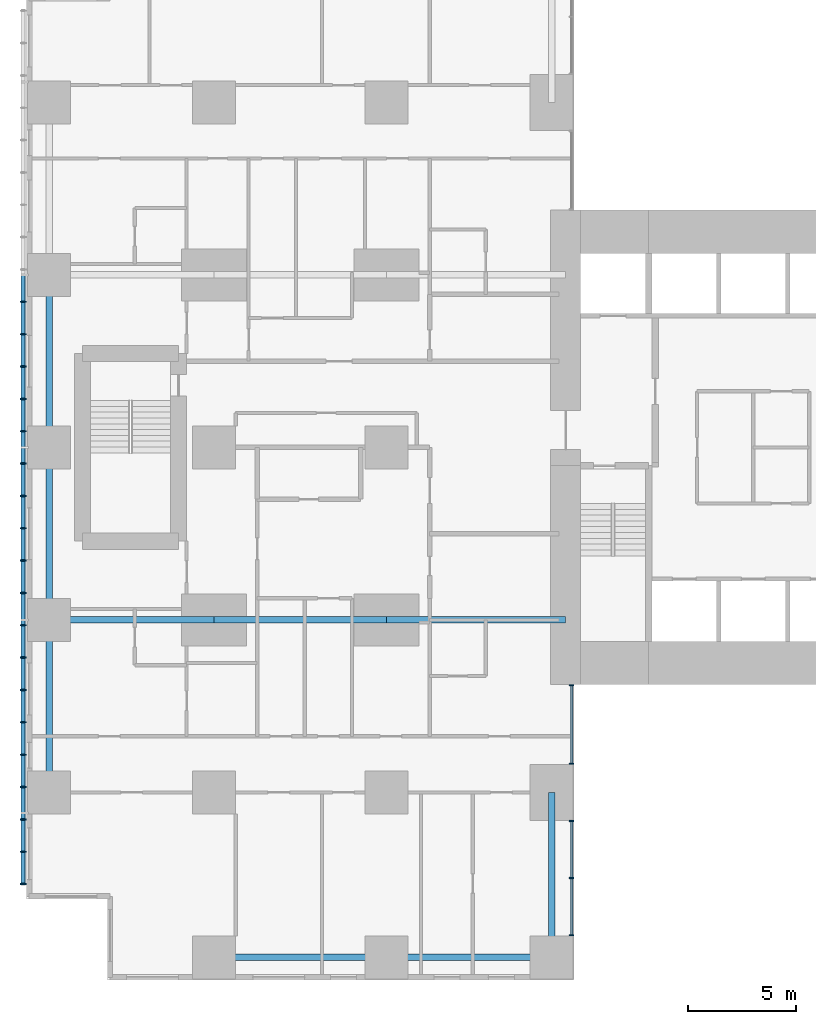
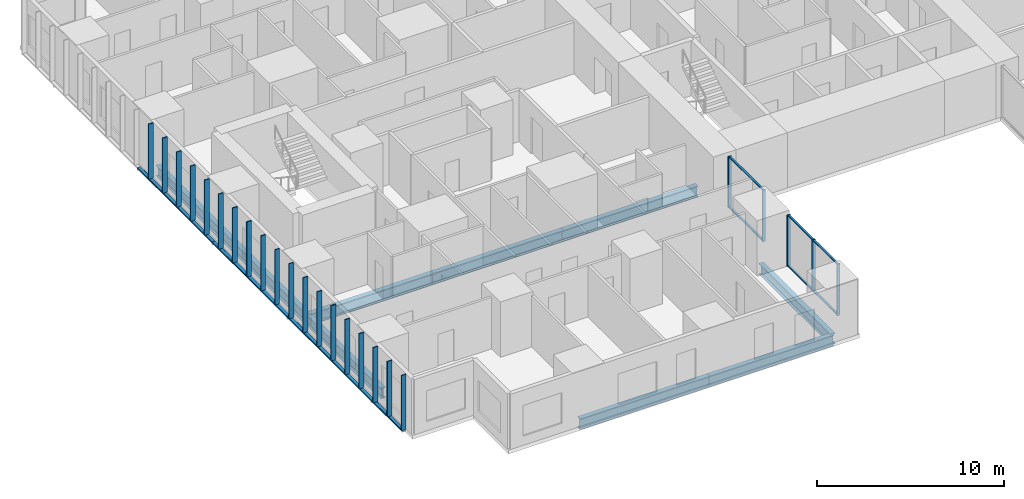
# One storey, part 2 of 20: 33 members, 9 beams, 2 elements without a shape of their own.
"""IFC4 building model written with IfcOpenShell, lengths in metres."""

from ifc_helpers import new_model, si_unit, direction, frame, origin, origin_2d, place, context, subcontext, project, spatial, rectangle, hollow_rectangle, i_section, extrude, material, layer, layer_set, material_profile, profile_set, type_object, element, aggregate, save


model = new_model("IFC4")

# Units and contexts
model_context = context("Model", 3, precision=1e-05, world=origin(), true_north=direction((0.0, 1.0)))
body_context = subcontext(model_context, "Body", "Model", "MODEL_VIEW")
ifc_project = project(units=[si_unit("LENGTHUNIT", "METRE"), si_unit("AREAUNIT", "SQUARE_METRE"), si_unit("VOLUMEUNIT", "CUBIC_METRE"), si_unit("PLANEANGLEUNIT", "RADIAN"), si_unit("MASSUNIT", "GRAM", prefix="KILO")], contexts=[model_context])

# Site, building, storey
site_placement = place(None, origin())
site = spatial("IfcSite", under=ifc_project, at=site_placement, CompositionType="ELEMENT")
building_placement = place(site_placement, origin())
building = spatial("IfcBuilding", under=site, at=building_placement, Name="Cleftline Residences", CompositionType="ELEMENT")
storey_placement = place(building_placement, frame((0.0, 0.0, 44.0)))
storey = spatial("IfcBuildingStorey", under=building, at=storey_placement, Name="L10", CompositionType="ELEMENT", Elevation=44.0)

# Members
ifc_material_1 = material(Name="Steel S355, hot-dip galvanised", Category="steel")
ifc_material_profile_1 = material_profile(ifc_material_1, hollow_rectangle(XDim=0.10009765625, YDim=0.199951171875, WallThickness=0.008056640625, InnerFilletRadius=0.008056640625, OuterFilletRadius=0.011962890625, at=origin_2d()))
ifc_profile_set_1 = profile_set([ifc_material_profile_1], Name="Steel S355, hot-dip galvanised")
member_type_1 = type_object("IfcMemberType", Name="BAGUETTE CARRIER RHS 200X100X8", PredefinedType="USERDEFINED", material=ifc_profile_set_1)
for number, where, z_axis, x_axis, name in (
    (1, (-0.85009765625, 32.0, -0.050048828125), (0.0, -1.0, 0.0), (0.0, 0.0, 1.0), "Baguette carrier"),
    (2, (-0.85009765625, 24.0, -0.050048828125), (0.0, -1.0, 0.0), (0.0, 0.0, 1.0), "Baguette carrier"),
):
    element("IfcMember", number, at=place(storey_placement, frame(where, z_axis=z_axis, x_axis=x_axis)), inside=storey, type_object=member_type_1, Name=name, ObjectType="BAGUETTE CARRIER", PredefinedType="USERDEFINED", context=body_context, shape_type="SweptSolid", body=[
        extrude(hollow_rectangle(XDim=0.10009765625, YDim=0.199951171875, WallThickness=0.008056640625, InnerFilletRadius=0.008056640625, OuterFilletRadius=0.011962890625, at=origin_2d()), origin(), (0.0, 0.0, 1.0), 8.0),
    ])
member_1_placement = place(storey_placement, frame((-0.85009765625, 16.0, -0.050048828125), z_axis=(0.0, -1.0, 0.0), x_axis=(0.0, 0.0, 1.0)))
element("IfcMember", 3, at=member_1_placement, inside=storey, type_object=member_type_1, Name="Baguette carrier", ObjectType="BAGUETTE CARRIER", PredefinedType="USERDEFINED", context=body_context, shape_type="SweptSolid", body=[
    extrude(hollow_rectangle(XDim=0.10009765625, YDim=0.199951171875, WallThickness=0.008056640625, InnerFilletRadius=0.008056640625, OuterFilletRadius=0.011962890625, at=origin_2d()), origin(), (0.0, 0.0, 1.0), 12.300048828125),
])

# Beams
ifc_material_2 = material(Name="Steel S355", Category="steel")
ifc_material_profile_2 = material_profile(ifc_material_2, i_section(OverallWidth=0.300048828125, OverallDepth=0.699951171875, WebThickness=0.01708984375, FlangeThickness=0.031982421875, FilletRadius=0.027099609375, at=origin_2d()))
ifc_profile_set_2 = profile_set([ifc_material_profile_2], Name="Steel S355")
beam_type_1 = type_object("IfcBeamType", Name="BEAM HEB 700", PredefinedType="BEAM", material=ifc_profile_set_2)
for number, where, z_axis, x_axis, name in (
    (4, (0.35009765625, 8.0, -0.60009765625), (0.0, 1.0, 0.0), (-1.0, 0.0, 0.0), "Edge beam"),
    (5, (0.35009765625, 16.0, -0.60009765625), (0.0, 1.0, 0.0), (-1.0, 0.0, 0.0), "Edge beam"),
    (6, (0.35009765625, 24.0, -0.60009765625), (0.0, 1.0, 0.0), (-1.0, 0.0, 0.0), "Edge beam"),
    (7, (8.0, 0.35009765625, -0.60009765625), (1.0, 0.0, 0.0), (0.0, 1.0, 0.0), "Edge beam"),
):
    element("IfcBeam", number, at=place(storey_placement, frame(where, z_axis=z_axis, x_axis=x_axis)), inside=storey, type_object=beam_type_1, Name=name, PredefinedType="BEAM", context=body_context, shape_type="SweptSolid", body=[
        extrude(i_section(OverallWidth=0.300048828125, OverallDepth=0.699951171875, WebThickness=0.01708984375, FlangeThickness=0.031982421875, FilletRadius=0.027099609375, at=origin_2d()), origin(), (0.0, 0.0, 1.0), 8.0),
    ])
for number, where, z_axis, x_axis, name in (
    (8, (16.0, 0.35009765625, -0.60009765625), (1.0, 0.0, 0.0), (0.0, 1.0, 0.0), "Edge beam"),
    (9, (23.64990234375, 0.35009765625, -0.60009765625), (0.0, 1.0, 0.0), (-1.0, 0.0, 0.0), "Edge beam"),
):
    element("IfcBeam", number, at=place(storey_placement, frame(where, z_axis=z_axis, x_axis=x_axis)), inside=storey, type_object=beam_type_1, Name=name, PredefinedType="BEAM", context=body_context, shape_type="SweptSolid", body=[
        extrude(i_section(OverallWidth=0.300048828125, OverallDepth=0.699951171875, WebThickness=0.01708984375, FlangeThickness=0.031982421875, FilletRadius=0.027099609375, at=origin_2d()), origin(), (0.0, 0.0, 1.0), 7.64990234375),
    ])
ifc_material_3 = material(Name="Steel S355", Category="steel")
ifc_material_profile_3 = material_profile(ifc_material_3, i_section(OverallWidth=0.303955078125, OverallDepth=0.716064453125, WebThickness=0.02099609375, FlangeThickness=0.0400390625, FilletRadius=0.027099609375, at=origin_2d()))
ifc_profile_set_3 = profile_set([ifc_material_profile_3], Name="Steel S355")
beam_type_2 = type_object("IfcBeamType", Name="BEAM HEM 700", PredefinedType="BEAM", material=ifc_profile_set_3)
beam_1_placement = place(storey_placement, frame((0.35009765625, 16.0, -0.60791015625), z_axis=(1.0, 0.0, 0.0), x_axis=(0.0, 1.0, 0.0)))
element("IfcBeam", 10, at=beam_1_placement, inside=storey, type_object=beam_type_2, Name="Band beam", PredefinedType="BEAM", context=body_context, shape_type="SweptSolid", body=[
    extrude(i_section(OverallWidth=0.303955078125, OverallDepth=0.716064453125, WebThickness=0.02099609375, FlangeThickness=0.0400390625, FilletRadius=0.027099609375, at=origin_2d()), origin(), (0.0, 0.0, 1.0), 7.64990234375),
])
beam_2_placement = place(storey_placement, frame((8.0, 16.0, -0.60791015625), z_axis=(1.0, 0.0, 0.0), x_axis=(0.0, 1.0, 0.0)))
element("IfcBeam", 11, at=beam_2_placement, inside=storey, type_object=beam_type_2, Name="Band beam", PredefinedType="BEAM", context=body_context, shape_type="SweptSolid", body=[
    extrude(i_section(OverallWidth=0.303955078125, OverallDepth=0.716064453125, WebThickness=0.02099609375, FlangeThickness=0.0400390625, FilletRadius=0.027099609375, at=origin_2d()), origin(), (0.0, 0.0, 1.0), 8.0),
])
beam_3_placement = place(storey_placement, frame((16.0, 16.0, -0.60791015625), z_axis=(1.0, 0.0, 0.0), x_axis=(0.0, 1.0, 0.0)))
element("IfcBeam", 12, at=beam_3_placement, inside=storey, type_object=beam_type_2, Name="Band beam", PredefinedType="BEAM", context=body_context, shape_type="SweptSolid", body=[
    extrude(i_section(OverallWidth=0.303955078125, OverallDepth=0.716064453125, WebThickness=0.02099609375, FlangeThickness=0.0400390625, FilletRadius=0.027099609375, at=origin_2d()), origin(), (0.0, 0.0, 1.0), 8.300048828125),
])

# Curtain wall, members
ifc_material_4 = material(Name="Aluminium framed curtain wall", Category="aluminium")
ifc_layer = layer(ifc_material_4, 0.199951171875)
ifc_layer_set = layer_set([ifc_layer], Name="CW1 CLEFT GLAZING")
curtain_wall_type = type_object("IfcCurtainWallType", Name="CW1 CLEFT GLAZING", PredefinedType="NOTDEFINED", material=ifc_layer_set)
curtain_wall_1_placement = place(storey_placement, origin())
curtain_wall_1 = element("IfcCurtainWall", 13, at=curtain_wall_1_placement, inside=storey, type_object=curtain_wall_type, Name="Curtain wall CW1", PredefinedType="NOTDEFINED")
ifc_material_5 = material(Name="Aluminium mullion", Category="aluminium")
ifc_material_profile_4 = material_profile(ifc_material_5, rectangle(XDim=0.199951171875, YDim=0.06005859375, at=origin_2d()))
ifc_profile_set_4 = profile_set([ifc_material_profile_4], Name="Aluminium mullion")
member_type_2 = type_object("IfcMemberType", Name="CW1 MULLION", PredefinedType="MULLION", material=ifc_profile_set_4)
member_2_placement = place(storey_placement, frame((24.574951171875, 1.3798828125, 0.0), z_axis=(0.0, 0.0, 1.0), x_axis=(-1.0, 0.0, 0.0)))
member_2 = element("IfcMember", 14, at=member_2_placement, type_object=member_type_2, Name="CW1 mullion 1", PredefinedType="MULLION", context=body_context, shape_type="SweptSolid", body=[
    extrude(rectangle(XDim=0.199951171875, YDim=0.06005859375, at=origin_2d()), origin(), (0.0, 0.0, 1.0), 3.35009765625),
])
member_3_placement = place(storey_placement, frame((24.574951171875, 4.02490234375, 0.0), z_axis=(0.0, 0.0, 1.0), x_axis=(-1.0, 0.0, 0.0)))
member_3 = element("IfcMember", 15, at=member_3_placement, type_object=member_type_2, Name="CW1 mullion 2", PredefinedType="MULLION", context=body_context, shape_type="SweptSolid", body=[
    extrude(rectangle(XDim=0.199951171875, YDim=0.06005859375, at=origin_2d()), origin(), (0.0, 0.0, 1.0), 3.35009765625),
])
member_4_placement = place(storey_placement, frame((24.574951171875, 6.669921875, 0.0), z_axis=(0.0, 0.0, 1.0), x_axis=(-1.0, 0.0, 0.0)))
member_4 = element("IfcMember", 16, at=member_4_placement, type_object=member_type_2, Name="CW1 mullion 3", PredefinedType="MULLION", context=body_context, shape_type="SweptSolid", body=[
    extrude(rectangle(XDim=0.199951171875, YDim=0.06005859375, at=origin_2d()), origin(), (0.0, 0.0, 1.0), 3.35009765625),
])

curtain_wall_2_placement = place(storey_placement, origin())
curtain_wall_2 = element("IfcCurtainWall", 17, at=curtain_wall_2_placement, inside=storey, type_object=curtain_wall_type, Name="Curtain wall CW1", PredefinedType="NOTDEFINED")
member_5_placement = place(storey_placement, frame((24.574951171875, 9.330078125, 0.0), z_axis=(0.0, 0.0, 1.0), x_axis=(-1.0, 0.0, 0.0)))
member_5 = element("IfcMember", 18, at=member_5_placement, type_object=member_type_2, Name="CW1 mullion 1", PredefinedType="MULLION", context=body_context, shape_type="SweptSolid", body=[
    extrude(rectangle(XDim=0.199951171875, YDim=0.06005859375, at=origin_2d()), origin(), (0.0, 0.0, 1.0), 3.35009765625),
])
member_6_placement = place(storey_placement, frame((24.574951171875, 12.969970703125, 0.0), z_axis=(0.0, 0.0, 1.0), x_axis=(-1.0, 0.0, 0.0)))
member_6 = element("IfcMember", 19, at=member_6_placement, type_object=member_type_2, Name="CW1 mullion 2", PredefinedType="MULLION", context=body_context, shape_type="SweptSolid", body=[
    extrude(rectangle(XDim=0.199951171875, YDim=0.06005859375, at=origin_2d()), origin(), (0.0, 0.0, 1.0), 3.35009765625),
])

# Member
ifc_material_6 = material(Name="Aluminium transom", Category="aluminium")
ifc_material_profile_5 = material_profile(ifc_material_6, rectangle(XDim=0.1201171875, YDim=0.06005859375, at=origin_2d()))
ifc_profile_set_5 = profile_set([ifc_material_profile_5], Name="Aluminium transom")
member_type_3 = type_object("IfcMemberType", Name="CW1 TRANSOM", PredefinedType="USERDEFINED", material=ifc_profile_set_5)
member_7_placement = place(storey_placement, frame((24.574951171875, 1.409912109375, 0.030029296875), z_axis=(0.0, 1.0, 0.0), x_axis=(-1.0, 0.0, 0.0)))
member_7 = element("IfcMember", 20, at=member_7_placement, type_object=member_type_3, Name="CW1 transom 1.1", ObjectType="TRANSOM", PredefinedType="USERDEFINED", context=body_context, shape_type="SweptSolid", body=[
    extrude(rectangle(XDim=0.1201171875, YDim=0.06005859375, at=origin_2d()), origin(), (0.0, 0.0, 1.0), 2.585205078125),
])

member_8_placement = place(storey_placement, frame((24.574951171875, 1.409912109375, 3.320068359375), z_axis=(0.0, 1.0, 0.0), x_axis=(-1.0, 0.0, 0.0)))
member_8 = element("IfcMember", 21, at=member_8_placement, type_object=member_type_3, Name="CW1 transom 1.2", ObjectType="TRANSOM", PredefinedType="USERDEFINED", context=body_context, shape_type="SweptSolid", body=[
    extrude(rectangle(XDim=0.1201171875, YDim=0.06005859375, at=origin_2d()), origin(), (0.0, 0.0, 1.0), 2.585205078125),
])

member_9_placement = place(storey_placement, frame((24.574951171875, 4.054931640625, 0.030029296875), z_axis=(0.0, 1.0, 0.0), x_axis=(-1.0, 0.0, 0.0)))
member_9 = element("IfcMember", 22, at=member_9_placement, type_object=member_type_3, Name="CW1 transom 2.1", ObjectType="TRANSOM", PredefinedType="USERDEFINED", context=body_context, shape_type="SweptSolid", body=[
    extrude(rectangle(XDim=0.1201171875, YDim=0.06005859375, at=origin_2d()), origin(), (0.0, 0.0, 1.0), 2.5849609375),
])

member_10_placement = place(storey_placement, frame((24.574951171875, 4.054931640625, 3.320068359375), z_axis=(0.0, 1.0, 0.0), x_axis=(-1.0, 0.0, 0.0)))
member_10 = element("IfcMember", 23, at=member_10_placement, type_object=member_type_3, Name="CW1 transom 2.2", ObjectType="TRANSOM", PredefinedType="USERDEFINED", context=body_context, shape_type="SweptSolid", body=[
    extrude(rectangle(XDim=0.1201171875, YDim=0.06005859375, at=origin_2d()), origin(), (0.0, 0.0, 1.0), 2.5849609375),
])

aggregate(curtain_wall_1, [member_2, member_3, member_4, member_7, member_8, member_9, member_10])

member_11_placement = place(storey_placement, frame((24.574951171875, 9.360107421875, 0.030029296875), z_axis=(0.0, 1.0, 0.0), x_axis=(-1.0, 0.0, 0.0)))
member_11 = element("IfcMember", 24, at=member_11_placement, type_object=member_type_3, Name="CW1 transom 1.1", ObjectType="TRANSOM", PredefinedType="USERDEFINED", context=body_context, shape_type="SweptSolid", body=[
    extrude(rectangle(XDim=0.1201171875, YDim=0.06005859375, at=origin_2d()), origin(), (0.0, 0.0, 1.0), 3.579833984375),
])

member_12_placement = place(storey_placement, frame((24.574951171875, 9.360107421875, 3.320068359375), z_axis=(0.0, 1.0, 0.0), x_axis=(-1.0, 0.0, 0.0)))
member_12 = element("IfcMember", 25, at=member_12_placement, type_object=member_type_3, Name="CW1 transom 1.2", ObjectType="TRANSOM", PredefinedType="USERDEFINED", context=body_context, shape_type="SweptSolid", body=[
    extrude(rectangle(XDim=0.1201171875, YDim=0.06005859375, at=origin_2d()), origin(), (0.0, 0.0, 1.0), 3.579833984375),
])

aggregate(curtain_wall_2, [member_5, member_6, member_11, member_12])

# Members
ifc_material_7 = material(Name="Extruded terracotta", Category="masonry")
ifc_material_profile_6 = material_profile(ifc_material_7, rectangle(XDim=0.06005859375, YDim=0.300048828125, at=origin_2d()))
ifc_profile_set_6 = profile_set([ifc_material_profile_6], Name="Extruded terracotta")
member_type_4 = type_object("IfcMemberType", Name="TERRACOTTA BAGUETTE 60X300", PredefinedType="USERDEFINED", material=ifc_profile_set_6)
for number, where, z_axis, x_axis, name in (
    (26, (-0.85009765625, 30.75, 0.0), (0.0, 0.0, 1.0), (0.0, 1.0, 0.0), "Terracotta baguette"),
    (27, (-0.85009765625, 29.25, 0.0), (0.0, 0.0, 1.0), (0.0, 1.0, 0.0), "Terracotta baguette"),
    (28, (-0.85009765625, 27.75, 0.0), (0.0, 0.0, 1.0), (0.0, 1.0, 0.0), "Terracotta baguette"),
    (29, (-0.85009765625, 26.25, 0.0), (0.0, 0.0, 1.0), (0.0, 1.0, 0.0), "Terracotta baguette"),
    (30, (-0.85009765625, 24.75, 0.0), (0.0, 0.0, 1.0), (0.0, 1.0, 0.0), "Terracotta baguette"),
    (31, (-0.85009765625, 23.25, 0.0), (0.0, 0.0, 1.0), (0.0, 1.0, 0.0), "Terracotta baguette"),
    (32, (-0.85009765625, 21.75, 0.0), (0.0, 0.0, 1.0), (0.0, 1.0, 0.0), "Terracotta baguette"),
    (33, (-0.85009765625, 20.25, 0.0), (0.0, 0.0, 1.0), (0.0, 1.0, 0.0), "Terracotta baguette"),
    (34, (-0.85009765625, 18.75, 0.0), (0.0, 0.0, 1.0), (0.0, 1.0, 0.0), "Terracotta baguette"),
    (35, (-0.85009765625, 17.25, 0.0), (0.0, 0.0, 1.0), (0.0, 1.0, 0.0), "Terracotta baguette"),
    (36, (-0.85009765625, 15.75, 0.0), (0.0, 0.0, 1.0), (0.0, 1.0, 0.0), "Terracotta baguette"),
    (37, (-0.85009765625, 14.25, 0.0), (0.0, 0.0, 1.0), (0.0, 1.0, 0.0), "Terracotta baguette"),
    (38, (-0.85009765625, 12.75, 0.0), (0.0, 0.0, 1.0), (0.0, 1.0, 0.0), "Terracotta baguette"),
    (39, (-0.85009765625, 11.25, 0.0), (0.0, 0.0, 1.0), (0.0, 1.0, 0.0), "Terracotta baguette"),
    (40, (-0.85009765625, 9.75, 0.0), (0.0, 0.0, 1.0), (0.0, 1.0, 0.0), "Terracotta baguette"),
    (41, (-0.85009765625, 8.25, 0.0), (0.0, 0.0, 1.0), (0.0, 1.0, 0.0), "Terracotta baguette"),
    (42, (-0.85009765625, 6.75, 0.0), (0.0, 0.0, 1.0), (0.0, 1.0, 0.0), "Terracotta baguette"),
    (43, (-0.85009765625, 5.25, 0.0), (0.0, 0.0, 1.0), (0.0, 1.0, 0.0), "Terracotta baguette"),
    (44, (-0.85009765625, 3.75, 0.0), (0.0, 0.0, 1.0), (0.0, 1.0, 0.0), "Terracotta baguette"),
):
    element("IfcMember", number, at=place(storey_placement, frame(where, z_axis=z_axis, x_axis=x_axis)), inside=storey, type_object=member_type_4, Name=name, ObjectType="BAGUETTE", PredefinedType="USERDEFINED", context=body_context, shape_type="SweptSolid", body=[
        extrude(rectangle(XDim=0.06005859375, YDim=0.300048828125, at=origin_2d()), origin(), (0.0, 0.0, 1.0), 3.60009765625),
    ])

save(model, "model.ifc")
